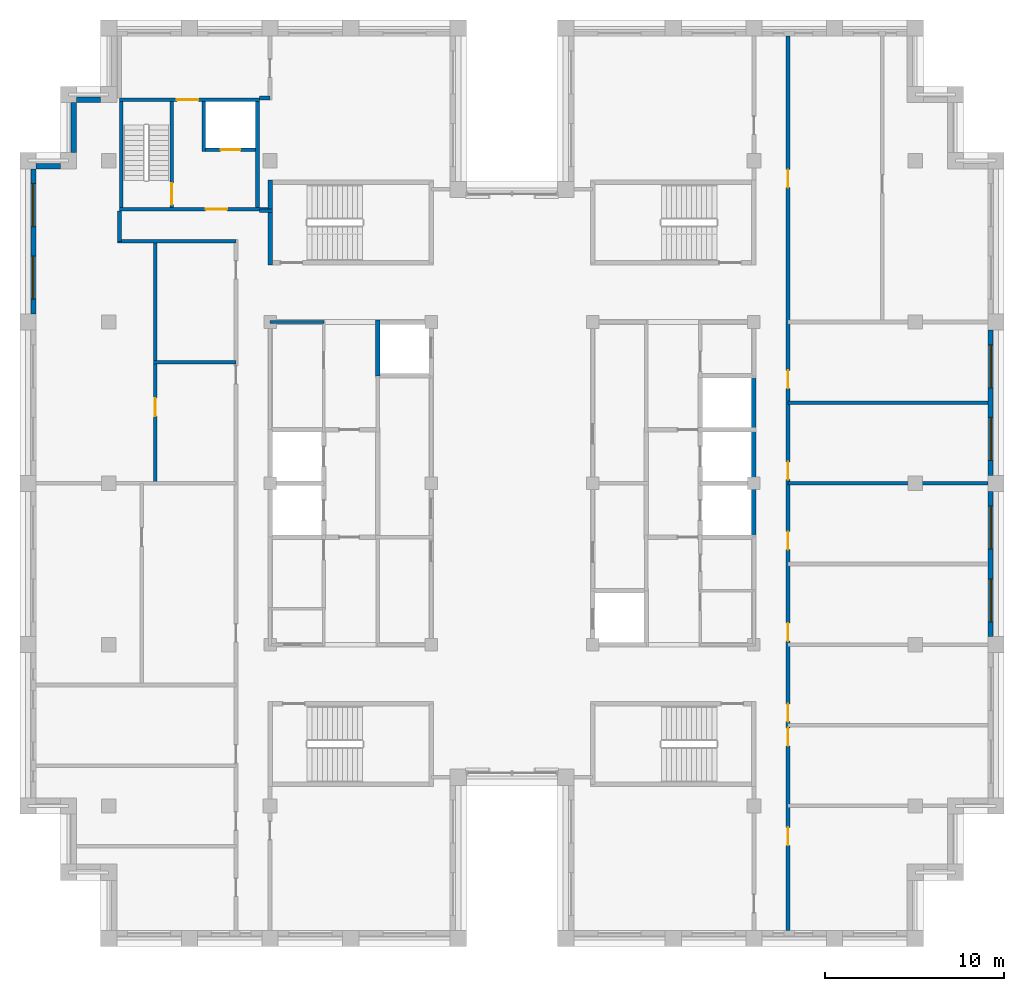
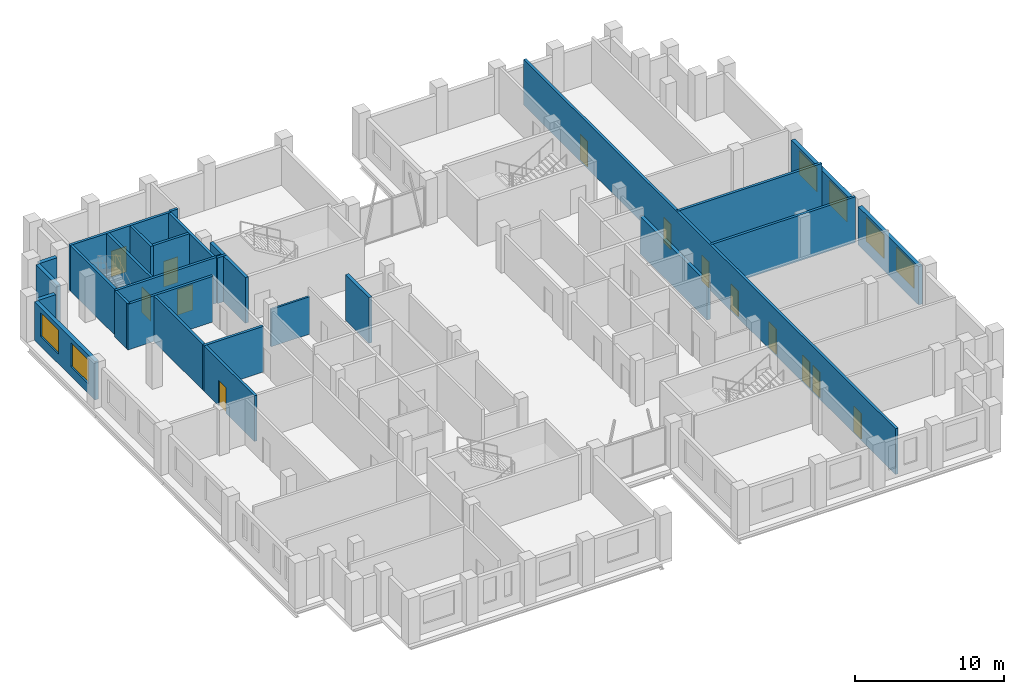
# One storey, part 9 of 13: 26 walls, 13 doors, 6 windows, 19 openings.
"""IFC4 building model written with IfcOpenShell, lengths in metres."""

from ifc_helpers import new_model, si_unit, direction, frame, frame_2d, origin, place, context, subcontext, project, spatial, rectangle, extrude, material, layer, layer_set, type_object, element, fill, save


model = new_model("IFC4")

# Units and contexts
model_context = context("Model", 3, precision=1e-05, world=origin(), true_north=direction((0.0, 1.0)))
body_context = subcontext(model_context, "Body", "Model", "MODEL_VIEW")
ifc_project = project(units=[si_unit("LENGTHUNIT", "METRE"), si_unit("AREAUNIT", "SQUARE_METRE"), si_unit("VOLUMEUNIT", "CUBIC_METRE"), si_unit("PLANEANGLEUNIT", "RADIAN"), si_unit("MASSUNIT", "GRAM", prefix="KILO")], contexts=[model_context])

# Site, building, storey
site_placement = place(None, origin())
site = spatial("IfcSite", under=ifc_project, at=site_placement, CompositionType="ELEMENT")
building_placement = place(site_placement, origin())
building = spatial("IfcBuilding", under=site, at=building_placement, Name="Corbelhall Arena Tower", CompositionType="ELEMENT")
storey_placement = place(building_placement, frame((0.0, 0.0, 342.0)))
storey = spatial("IfcBuildingStorey", under=building, at=storey_placement, Name="L75", CompositionType="ELEMENT", Elevation=342.0)

# Walls
ifc_material_1 = material(Name="Precast concrete C40/50 with granite facing", Category="masonry")
ifc_layer_1 = layer(ifc_material_1, 0.300048828125)
ifc_layer_set_1 = layer_set([ifc_layer_1], Name="EV-IW1 Infill panel 300")
wall_type_1 = type_object("IfcWallType", Name="EV-IW1 Infill panel 300", PredefinedType="SOLIDWALL", material=ifc_layer_set_1)
wall_1_placement = place(storey_placement, frame((-24.449951171875, 21.25, 0.0), z_axis=(0.0, 0.0, 1.0), x_axis=(0.0, -1.0, 0.0)))
element("IfcWall", 1, at=wall_1_placement, inside=storey, type_object=wall_type_1, Name="Infill panel IW1", PredefinedType="SOLIDWALL", context=body_context, shape_type="SweptSolid", body=[
    extrude(rectangle(XDim=2.800048828125, YDim=0.300048828125, at=frame_2d((1.39990234375, 0.0))), origin(), (0.0, 0.0, 1.0), 3.139892578125),
])
wall_2_placement = place(storey_placement, frame((-25.199951171875, 17.699951171875, 0.0), z_axis=(0.0, 0.0, 1.0), x_axis=(-1.0, 0.0, 0.0)))
element("IfcWall", 2, at=wall_2_placement, inside=storey, type_object=wall_type_1, Name="Infill panel IW1", PredefinedType="SOLIDWALL", context=body_context, shape_type="SweptSolid", body=[
    extrude(rectangle(XDim=1.35009765625, YDim=0.300048828125, at=frame_2d((0.675048828125, 0.0))), origin(), (0.0, 0.0, 1.0), 3.139892578125),
])

# Wall, openings, windows
wall_3_placement = place(storey_placement, frame((-26.699951171875, 17.550048828125, 0.0), z_axis=(0.0, 0.0, 1.0), x_axis=(0.0, -1.0, 0.0)))
wall_3 = element("IfcWall", 3, at=wall_3_placement, inside=storey, type_object=wall_type_1, Name="Infill panel IW1", PredefinedType="SOLIDWALL", context=body_context, shape_type="SweptSolid", body=[
    extrude(rectangle(XDim=8.10009765625, YDim=0.300048828125, at=frame_2d((4.050048828125, 0.0))), origin(), (0.0, 0.0, 1.0), 3.139892578125),
])
opening_1_placement = place(wall_3_placement, frame((0.824951171875, 0.0, 0.800048828125)))
opening_1 = element("IfcOpeningElement", 4, at=opening_1_placement, cuts=wall_3, Name="Opening WN1", PredefinedType="OPENING", context=body_context, shape_type="SweptSolid", body=[
    extrude(rectangle(XDim=2.39990234375, YDim=1.949951171875, at=frame_2d((1.199951171875, 0.97509765625))), frame((0.0, 0.14990234375, 0.0), z_axis=(0.0, -1.0, 0.0), x_axis=(1.0, 0.0, 0.0)), (0.0, 0.0, 1.0), 0.300048828125),
])
opening_2_placement = place(wall_3_placement, frame((4.875, 0.0, 0.800048828125)))
opening_2 = element("IfcOpeningElement", 5, at=opening_2_placement, cuts=wall_3, Name="Opening WN1", PredefinedType="OPENING", context=body_context, shape_type="SweptSolid", body=[
    extrude(rectangle(XDim=2.39990234375, YDim=1.949951171875, at=frame_2d((1.199951171875, 0.97509765625))), frame((0.0, 0.14990234375, 0.0), z_axis=(0.0, -1.0, 0.0), x_axis=(1.0, 0.0, 0.0)), (0.0, 0.0, 1.0), 0.300048828125),
])
ifc_material_2 = material(Name="Aluminium black anodised", Category="aluminium")
window_type = type_object("IfcWindowType", Name="EV-WN1 Office window", PartitioningType="SINGLE_PANEL", PredefinedType="WINDOW", material=ifc_material_2)
window_1_placement = place(opening_1_placement, origin())
window_1 = element("IfcWindow", 6, at=window_1_placement, inside=storey, type_object=window_type, Name="Window WN1", OverallHeight=1.949951171875, OverallWidth=2.39990234375, PartitioningType="SINGLE_PANEL", PredefinedType="WINDOW", context=body_context, shape_type="SweptSolid", body=[
    extrude(rectangle(XDim=2.39990234375, YDim=1.949951171875, at=frame_2d((1.199951171875, 0.97509765625))), frame((0.0, 0.030029296875, 0.0), z_axis=(0.0, -1.0, 0.0), x_axis=(1.0, 0.0, 0.0)), (0.0, 0.0, 1.0), 0.06005859375),
])
fill(opening_1, window_1)
window_2_placement = place(opening_2_placement, origin())
window_2 = element("IfcWindow", 7, at=window_2_placement, inside=storey, type_object=window_type, Name="Window WN1", OverallHeight=1.949951171875, OverallWidth=2.39990234375, PartitioningType="SINGLE_PANEL", PredefinedType="WINDOW", context=body_context, shape_type="SweptSolid", body=[
    extrude(rectangle(XDim=2.39990234375, YDim=1.949951171875, at=frame_2d((1.199951171875, 0.97509765625))), frame((0.0, 0.030029296875, 0.0), z_axis=(0.0, -1.0, 0.0), x_axis=(1.0, 0.0, 0.0)), (0.0, 0.0, 1.0), 0.06005859375),
])
fill(opening_2, window_2)

wall_4_placement = place(storey_placement, frame((26.699951171875, -8.550048828125, 0.0), z_axis=(0.0, 0.0, 1.0), x_axis=(0.0, 1.0, 0.0)))
wall_4 = element("IfcWall", 8, at=wall_4_placement, inside=storey, type_object=wall_type_1, Name="Infill panel IW1", PredefinedType="SOLIDWALL", context=body_context, shape_type="SweptSolid", body=[
    extrude(rectangle(XDim=8.10009765625, YDim=0.300048828125, at=frame_2d((4.050048828125, 0.0))), origin(), (0.0, 0.0, 1.0), 3.139892578125),
])
opening_3_placement = place(wall_4_placement, frame((0.824951171875, 0.0, 0.800048828125)))
opening_3 = element("IfcOpeningElement", 9, at=opening_3_placement, cuts=wall_4, Name="Opening WN1", PredefinedType="OPENING", context=body_context, shape_type="SweptSolid", body=[
    extrude(rectangle(XDim=2.39990234375, YDim=1.949951171875, at=frame_2d((1.199951171875, 0.97509765625))), frame((0.0, 0.14990234375, 0.0), z_axis=(0.0, -1.0, 0.0), x_axis=(1.0, 0.0, 0.0)), (0.0, 0.0, 1.0), 0.300048828125),
])
opening_4_placement = place(wall_4_placement, frame((4.875, 0.0, 0.800048828125)))
opening_4 = element("IfcOpeningElement", 10, at=opening_4_placement, cuts=wall_4, Name="Opening WN1", PredefinedType="OPENING", context=body_context, shape_type="SweptSolid", body=[
    extrude(rectangle(XDim=2.39990234375, YDim=1.949951171875, at=frame_2d((1.199951171875, 0.97509765625))), frame((0.0, 0.14990234375, 0.0), z_axis=(0.0, -1.0, 0.0), x_axis=(1.0, 0.0, 0.0)), (0.0, 0.0, 1.0), 0.300048828125),
])
window_3_placement = place(opening_3_placement, origin())
window_3 = element("IfcWindow", 11, at=window_3_placement, inside=storey, type_object=window_type, Name="Window WN1", OverallHeight=1.949951171875, OverallWidth=2.39990234375, PartitioningType="SINGLE_PANEL", PredefinedType="WINDOW", context=body_context, shape_type="SweptSolid", body=[
    extrude(rectangle(XDim=2.39990234375, YDim=1.949951171875, at=frame_2d((1.199951171875, 0.97509765625))), frame((0.0, 0.030029296875, 0.0), z_axis=(0.0, -1.0, 0.0), x_axis=(1.0, 0.0, 0.0)), (0.0, 0.0, 1.0), 0.06005859375),
])
fill(opening_3, window_3)
window_4_placement = place(opening_4_placement, origin())
window_4 = element("IfcWindow", 12, at=window_4_placement, inside=storey, type_object=window_type, Name="Window WN1", OverallHeight=1.949951171875, OverallWidth=2.39990234375, PartitioningType="SINGLE_PANEL", PredefinedType="WINDOW", context=body_context, shape_type="SweptSolid", body=[
    extrude(rectangle(XDim=2.39990234375, YDim=1.949951171875, at=frame_2d((1.199951171875, 0.97509765625))), frame((0.0, 0.030029296875, 0.0), z_axis=(0.0, -1.0, 0.0), x_axis=(1.0, 0.0, 0.0)), (0.0, 0.0, 1.0), 0.06005859375),
])
fill(opening_4, window_4)

wall_5_placement = place(storey_placement, frame((26.699951171875, 0.449951171875, 0.0), z_axis=(0.0, 0.0, 1.0), x_axis=(0.0, 1.0, 0.0)))
wall_5 = element("IfcWall", 13, at=wall_5_placement, inside=storey, type_object=wall_type_1, Name="Infill panel IW1", PredefinedType="SOLIDWALL", context=body_context, shape_type="SweptSolid", body=[
    extrude(rectangle(XDim=8.10009765625, YDim=0.300048828125, at=frame_2d((4.050048828125, 0.0))), origin(), (0.0, 0.0, 1.0), 3.139892578125),
])
opening_5_placement = place(wall_5_placement, frame((0.824951171875, 0.0, 0.800048828125)))
opening_5 = element("IfcOpeningElement", 14, at=opening_5_placement, cuts=wall_5, Name="Opening WN1", PredefinedType="OPENING", context=body_context, shape_type="SweptSolid", body=[
    extrude(rectangle(XDim=2.39990234375, YDim=1.949951171875, at=frame_2d((1.199951171875, 0.97509765625))), frame((0.0, 0.14990234375, 0.0), z_axis=(0.0, -1.0, 0.0), x_axis=(1.0, 0.0, 0.0)), (0.0, 0.0, 1.0), 0.300048828125),
])
opening_6_placement = place(wall_5_placement, frame((4.875, 0.0, 0.800048828125)))
opening_6 = element("IfcOpeningElement", 15, at=opening_6_placement, cuts=wall_5, Name="Opening WN1", PredefinedType="OPENING", context=body_context, shape_type="SweptSolid", body=[
    extrude(rectangle(XDim=2.39990234375, YDim=1.949951171875, at=frame_2d((1.199951171875, 0.97509765625))), frame((0.0, 0.14990234375, 0.0), z_axis=(0.0, -1.0, 0.0), x_axis=(1.0, 0.0, 0.0)), (0.0, 0.0, 1.0), 0.300048828125),
])
window_5_placement = place(opening_5_placement, origin())
window_5 = element("IfcWindow", 16, at=window_5_placement, inside=storey, type_object=window_type, Name="Window WN1", OverallHeight=1.949951171875, OverallWidth=2.39990234375, PartitioningType="SINGLE_PANEL", PredefinedType="WINDOW", context=body_context, shape_type="SweptSolid", body=[
    extrude(rectangle(XDim=2.39990234375, YDim=1.949951171875, at=frame_2d((1.199951171875, 0.97509765625))), frame((0.0, 0.030029296875, 0.0), z_axis=(0.0, -1.0, 0.0), x_axis=(1.0, 0.0, 0.0)), (0.0, 0.0, 1.0), 0.06005859375),
])
fill(opening_5, window_5)
window_6_placement = place(opening_6_placement, origin())
window_6 = element("IfcWindow", 17, at=window_6_placement, inside=storey, type_object=window_type, Name="Window WN1", OverallHeight=1.949951171875, OverallWidth=2.39990234375, PartitioningType="SINGLE_PANEL", PredefinedType="WINDOW", context=body_context, shape_type="SweptSolid", body=[
    extrude(rectangle(XDim=2.39990234375, YDim=1.949951171875, at=frame_2d((1.199951171875, 0.97509765625))), frame((0.0, 0.030029296875, 0.0), z_axis=(0.0, -1.0, 0.0), x_axis=(1.0, 0.0, 0.0)), (0.0, 0.0, 1.0), 0.06005859375),
])
fill(opening_6, window_6)

# Walls
wall_6_placement = place(storey_placement, frame((-22.949951171875, 21.39990234375, 0.0), z_axis=(0.0, 0.0, 1.0), x_axis=(-1.0, 0.0, 0.0)))
element("IfcWall", 18, at=wall_6_placement, inside=storey, type_object=wall_type_1, Name="Infill panel IW1", PredefinedType="SOLIDWALL", context=body_context, shape_type="SweptSolid", body=[
    extrude(rectangle(XDim=1.35009765625, YDim=0.300048828125, at=frame_2d((0.675048828125, 0.0))), origin(), (0.0, 0.0, 1.0), 3.139892578125),
])
ifc_material_3 = material(Name="Gypsum board on steel stud, acoustic", Category="steel")
ifc_layer_2 = layer(ifc_material_3, 0.199951171875)
ifc_layer_set_2 = layer_set([ifc_layer_2], Name="IN-W-DM200")
wall_type_2 = type_object("IfcWallType", Name="IN-W-DM200", PredefinedType="PARTITIONING", material=ifc_layer_set_2)
wall_7_placement = place(storey_placement, frame((-21.89990234375, 13.5, 0.0), z_axis=(0.0, 0.0, 1.0), x_axis=(0.0, 1.0, 0.0)))
element("IfcWall", 19, at=wall_7_placement, inside=storey, type_object=wall_type_2, Name="Partition 004", PredefinedType="PARTITIONING", context=body_context, shape_type="SweptSolid", body=[
    extrude(rectangle(XDim=1.699951171875, YDim=0.199951171875, at=frame_2d((0.85009765625, 0.0))), origin(), (0.0, 0.0, 1.0), 3.739990234375),
])
wall_8_placement = place(storey_placement, frame((-20.0, 6.75, 0.0), z_axis=(0.0, 0.0, 1.0), x_axis=(1.0, 0.0, 0.0)))
element("IfcWall", 20, at=wall_8_placement, inside=storey, type_object=wall_type_2, Name="Partition 008", PredefinedType="PARTITIONING", context=body_context, shape_type="SweptSolid", body=[
    extrude(rectangle(XDim=4.60009765625, YDim=0.199951171875, at=frame_2d((2.300048828125, 0.0))), origin(), (0.0, 0.0, 1.0), 3.739990234375),
])

# Wall, opening, door
wall_9_placement = place(storey_placement, frame((-19.89990234375, -0.10009765625, 0.0), z_axis=(0.0, 0.0, 1.0), x_axis=(0.0, 1.0, 0.0)))
wall_9 = element("IfcWall", 21, at=wall_9_placement, inside=storey, type_object=wall_type_2, Name="Partition 009", PredefinedType="PARTITIONING", context=body_context, shape_type="SweptSolid", body=[
    extrude(rectangle(XDim=13.60009765625, YDim=0.199951171875, at=frame_2d((6.800048828125, 0.0))), origin(), (0.0, 0.0, 1.0), 3.739990234375),
])
opening_7_placement = place(wall_9_placement, frame((3.85009765625, 0.0, 0.0)))
opening_7 = element("IfcOpeningElement", 22, at=opening_7_placement, cuts=wall_9, Name="Opening 24024", PredefinedType="OPENING", context=body_context, shape_type="SweptSolid", body=[
    extrude(rectangle(XDim=1.0, YDim=2.10009765625, at=frame_2d((0.5, 1.050048828125))), frame((0.0, 0.10009765625, 0.0), z_axis=(0.0, -1.0, 0.0), x_axis=(1.0, 0.0, 0.0)), (0.0, 0.0, 1.0), 0.199951171875),
])
ifc_material_4 = material(Name="Steel door set", Category="steel")
door_type_1 = type_object("IfcDoorType", Name="IN-D-SW100", OperationType="NOTDEFINED", PredefinedType="DOOR", material=ifc_material_4)
door_1_placement = place(opening_7_placement, origin())
door_1 = element("IfcDoor", 23, at=door_1_placement, inside=storey, type_object=door_type_1, Name="Door 024", OperationType="SINGLE_SWING_LEFT", OverallHeight=2.10009765625, OverallWidth=1.0, PredefinedType="DOOR", context=body_context, shape_type="SweptSolid", body=[
    extrude(rectangle(XDim=1.0, YDim=2.10009765625, at=frame_2d((0.5, 1.050048828125))), frame((0.0, 0.02490234375, 0.0), z_axis=(0.0, -1.0, 0.0), x_axis=(1.0, 0.0, 0.0)), (0.0, 0.0, 1.0), 0.050048828125),
])
fill(opening_7, door_1)

# Walls
wall_10_placement = place(storey_placement, frame((-15.39990234375, 13.5, 0.0), z_axis=(0.0, 0.0, 1.0), x_axis=(-1.0, 0.0, 0.0)))
element("IfcWall", 24, at=wall_10_placement, inside=storey, type_object=wall_type_2, Name="Partition 010", PredefinedType="PARTITIONING", context=body_context, shape_type="SweptSolid", body=[
    extrude(rectangle(XDim=6.60009765625, YDim=0.199951171875, at=frame_2d((3.300048828125, 0.0))), origin(), (0.0, 0.0, 1.0), 3.739990234375),
])
wall_11_placement = place(storey_placement, frame((-14.10009765625, 15.199951171875, 0.0), z_axis=(0.0, 0.0, 1.0), x_axis=(1.0, 0.0, 0.0)))
element("IfcWall", 25, at=wall_11_placement, inside=storey, type_object=wall_type_2, Name="Partition 012", PredefinedType="PARTITIONING", context=body_context, shape_type="SweptSolid", body=[
    extrude(rectangle(XDim=0.72509765625, YDim=0.199951171875, at=frame_2d((0.362548828125, 0.0))), origin(), (0.0, 0.0, 1.0), 3.739990234375),
])
wall_12_placement = place(storey_placement, frame((-13.5, 21.5, 0.0), z_axis=(0.0, 0.0, 1.0), x_axis=(-1.0, 0.0, 0.0)))
element("IfcWall", 26, at=wall_12_placement, inside=storey, type_object=wall_type_2, Name="Partition 014", PredefinedType="PARTITIONING", context=body_context, shape_type="SweptSolid", body=[
    extrude(rectangle(XDim=0.60009765625, YDim=0.199951171875, at=frame_2d((0.300048828125, 0.0))), origin(), (0.0, 0.0, 1.0), 3.739990234375),
])

# Wall, openings, doors
wall_13_placement = place(storey_placement, frame((15.39990234375, 24.949951171875, 0.0), z_axis=(0.0, 0.0, 1.0), x_axis=(0.0, -1.0, 0.0)))
wall_13 = element("IfcWall", 27, at=wall_13_placement, inside=storey, type_object=wall_type_2, Name="Partition 023", PredefinedType="PARTITIONING", context=body_context, shape_type="SweptSolid", body=[
    extrude(rectangle(XDim=49.89990234375, YDim=0.199951171875, at=frame_2d((24.949951171875, 0.0))), origin(), (0.0, 0.0, 1.0), 3.739990234375),
])
opening_8_placement = place(wall_13_placement, frame((23.75, 0.0, 0.0)))
opening_8 = element("IfcOpeningElement", 28, at=opening_8_placement, cuts=wall_13, Name="Opening 24030", PredefinedType="OPENING", context=body_context, shape_type="SweptSolid", body=[
    extrude(rectangle(XDim=1.0, YDim=2.10009765625, at=frame_2d((0.5, 1.050048828125))), frame((0.0, 0.10009765625, 0.0), z_axis=(0.0, -1.0, 0.0), x_axis=(1.0, 0.0, 0.0)), (0.0, 0.0, 1.0), 0.199951171875),
])
opening_9_placement = place(wall_13_placement, frame((18.64990234375, 0.0, 0.0)))
opening_9 = element("IfcOpeningElement", 29, at=opening_9_placement, cuts=wall_13, Name="Opening 24031", PredefinedType="OPENING", context=body_context, shape_type="SweptSolid", body=[
    extrude(rectangle(XDim=1.0, YDim=2.10009765625, at=frame_2d((0.5, 1.050048828125))), frame((0.0, 0.10009765625, 0.0), z_axis=(0.0, -1.0, 0.0), x_axis=(1.0, 0.0, 0.0)), (0.0, 0.0, 1.0), 0.199951171875),
])
opening_10_placement = place(wall_13_placement, frame((7.449951171875, 0.0, 0.0)))
opening_10 = element("IfcOpeningElement", 30, at=opening_10_placement, cuts=wall_13, Name="Opening 24032", PredefinedType="OPENING", context=body_context, shape_type="SweptSolid", body=[
    extrude(rectangle(XDim=1.0, YDim=2.10009765625, at=frame_2d((0.5, 1.050048828125))), frame((0.0, 0.10009765625, 0.0), z_axis=(0.0, -1.0, 0.0), x_axis=(1.0, 0.0, 0.0)), (0.0, 0.0, 1.0), 0.199951171875),
])
opening_11_placement = place(wall_13_placement, frame((44.14990234375, 0.0, 0.0)))
opening_11 = element("IfcOpeningElement", 31, at=opening_11_placement, cuts=wall_13, Name="Opening 24034", PredefinedType="OPENING", context=body_context, shape_type="SweptSolid", body=[
    extrude(rectangle(XDim=1.0, YDim=2.10009765625, at=frame_2d((0.5, 1.050048828125))), frame((0.0, 0.10009765625, 0.0), z_axis=(0.0, -1.0, 0.0), x_axis=(1.0, 0.0, 0.0)), (0.0, 0.0, 1.0), 0.199951171875),
])
opening_12_placement = place(wall_13_placement, frame((38.60009765625, 0.0, 0.0)))
opening_12 = element("IfcOpeningElement", 32, at=opening_12_placement, cuts=wall_13, Name="Opening 24035", PredefinedType="OPENING", context=body_context, shape_type="SweptSolid", body=[
    extrude(rectangle(XDim=1.0, YDim=2.10009765625, at=frame_2d((0.5, 1.050048828125))), frame((0.0, 0.10009765625, 0.0), z_axis=(0.0, -1.0, 0.0), x_axis=(1.0, 0.0, 0.0)), (0.0, 0.0, 1.0), 0.199951171875),
])
opening_13_placement = place(wall_13_placement, frame((37.25, 0.0, 0.0)))
opening_13 = element("IfcOpeningElement", 33, at=opening_13_placement, cuts=wall_13, Name="Opening 24036", PredefinedType="OPENING", context=body_context, shape_type="SweptSolid", body=[
    extrude(rectangle(XDim=1.0, YDim=2.10009765625, at=frame_2d((0.5, 1.050048828125))), frame((0.0, 0.10009765625, 0.0), z_axis=(0.0, -1.0, 0.0), x_axis=(1.0, 0.0, 0.0)), (0.0, 0.0, 1.0), 0.199951171875),
])
opening_14_placement = place(wall_13_placement, frame((32.75, 0.0, 0.0)))
opening_14 = element("IfcOpeningElement", 34, at=opening_14_placement, cuts=wall_13, Name="Opening 24037", PredefinedType="OPENING", context=body_context, shape_type="SweptSolid", body=[
    extrude(rectangle(XDim=1.0, YDim=2.10009765625, at=frame_2d((0.5, 1.050048828125))), frame((0.0, 0.10009765625, 0.0), z_axis=(0.0, -1.0, 0.0), x_axis=(1.0, 0.0, 0.0)), (0.0, 0.0, 1.0), 0.199951171875),
])
opening_15_placement = place(wall_13_placement, frame((27.64990234375, 0.0, 0.0)))
opening_15 = element("IfcOpeningElement", 35, at=opening_15_placement, cuts=wall_13, Name="Opening 24038", PredefinedType="OPENING", context=body_context, shape_type="SweptSolid", body=[
    extrude(rectangle(XDim=1.0, YDim=2.10009765625, at=frame_2d((0.5, 1.050048828125))), frame((0.0, 0.10009765625, 0.0), z_axis=(0.0, -1.0, 0.0), x_axis=(1.0, 0.0, 0.0)), (0.0, 0.0, 1.0), 0.199951171875),
])
door_2_placement = place(opening_8_placement, origin())
door_2 = element("IfcDoor", 36, at=door_2_placement, inside=storey, type_object=door_type_1, Name="Door 030", OperationType="SINGLE_SWING_LEFT", OverallHeight=2.10009765625, OverallWidth=1.0, PredefinedType="DOOR", context=body_context, shape_type="SweptSolid", body=[
    extrude(rectangle(XDim=1.0, YDim=2.10009765625, at=frame_2d((0.5, 1.050048828125))), frame((0.0, 0.02490234375, 0.0), z_axis=(0.0, -1.0, 0.0), x_axis=(1.0, 0.0, 0.0)), (0.0, 0.0, 1.0), 0.050048828125),
])
fill(opening_8, door_2)
door_3_placement = place(opening_9_placement, origin())
door_3 = element("IfcDoor", 37, at=door_3_placement, inside=storey, type_object=door_type_1, Name="Door 031", OperationType="SINGLE_SWING_RIGHT", OverallHeight=2.10009765625, OverallWidth=1.0, PredefinedType="DOOR", context=body_context, shape_type="SweptSolid", body=[
    extrude(rectangle(XDim=1.0, YDim=2.10009765625, at=frame_2d((0.5, 1.050048828125))), frame((0.0, 0.02490234375, 0.0), z_axis=(0.0, -1.0, 0.0), x_axis=(1.0, 0.0, 0.0)), (0.0, 0.0, 1.0), 0.050048828125),
])
fill(opening_9, door_3)
door_4_placement = place(opening_10_placement, origin())
door_4 = element("IfcDoor", 38, at=door_4_placement, inside=storey, type_object=door_type_1, Name="Door 032", OperationType="SINGLE_SWING_LEFT", OverallHeight=2.10009765625, OverallWidth=1.0, PredefinedType="DOOR", context=body_context, shape_type="SweptSolid", body=[
    extrude(rectangle(XDim=1.0, YDim=2.10009765625, at=frame_2d((0.5, 1.050048828125))), frame((0.0, 0.02490234375, 0.0), z_axis=(0.0, -1.0, 0.0), x_axis=(1.0, 0.0, 0.0)), (0.0, 0.0, 1.0), 0.050048828125),
])
fill(opening_10, door_4)
door_5_placement = place(opening_11_placement, origin())
door_5 = element("IfcDoor", 39, at=door_5_placement, inside=storey, type_object=door_type_1, Name="Door 034", OperationType="SINGLE_SWING_LEFT", OverallHeight=2.10009765625, OverallWidth=1.0, PredefinedType="DOOR", context=body_context, shape_type="SweptSolid", body=[
    extrude(rectangle(XDim=1.0, YDim=2.10009765625, at=frame_2d((0.5, 1.050048828125))), frame((0.0, 0.02490234375, 0.0), z_axis=(0.0, -1.0, 0.0), x_axis=(1.0, 0.0, 0.0)), (0.0, 0.0, 1.0), 0.050048828125),
])
fill(opening_11, door_5)
door_6_placement = place(opening_12_placement, origin())
door_6 = element("IfcDoor", 40, at=door_6_placement, inside=storey, type_object=door_type_1, Name="Door 035", OperationType="SINGLE_SWING_RIGHT", OverallHeight=2.10009765625, OverallWidth=1.0, PredefinedType="DOOR", context=body_context, shape_type="SweptSolid", body=[
    extrude(rectangle(XDim=1.0, YDim=2.10009765625, at=frame_2d((0.5, 1.050048828125))), frame((0.0, 0.02490234375, 0.0), z_axis=(0.0, -1.0, 0.0), x_axis=(1.0, 0.0, 0.0)), (0.0, 0.0, 1.0), 0.050048828125),
])
fill(opening_12, door_6)
door_7_placement = place(opening_13_placement, origin())
door_7 = element("IfcDoor", 41, at=door_7_placement, inside=storey, type_object=door_type_1, Name="Door 036", OperationType="SINGLE_SWING_LEFT", OverallHeight=2.10009765625, OverallWidth=1.0, PredefinedType="DOOR", context=body_context, shape_type="SweptSolid", body=[
    extrude(rectangle(XDim=1.0, YDim=2.10009765625, at=frame_2d((0.5, 1.050048828125))), frame((0.0, 0.02490234375, 0.0), z_axis=(0.0, -1.0, 0.0), x_axis=(1.0, 0.0, 0.0)), (0.0, 0.0, 1.0), 0.050048828125),
])
fill(opening_13, door_7)
door_8_placement = place(opening_14_placement, origin())
door_8 = element("IfcDoor", 42, at=door_8_placement, inside=storey, type_object=door_type_1, Name="Door 037", OperationType="SINGLE_SWING_RIGHT", OverallHeight=2.10009765625, OverallWidth=1.0, PredefinedType="DOOR", context=body_context, shape_type="SweptSolid", body=[
    extrude(rectangle(XDim=1.0, YDim=2.10009765625, at=frame_2d((0.5, 1.050048828125))), frame((0.0, 0.02490234375, 0.0), z_axis=(0.0, -1.0, 0.0), x_axis=(1.0, 0.0, 0.0)), (0.0, 0.0, 1.0), 0.050048828125),
])
fill(opening_14, door_8)
door_9_placement = place(opening_15_placement, origin())
door_9 = element("IfcDoor", 43, at=door_9_placement, inside=storey, type_object=door_type_1, Name="Door 038", OperationType="SINGLE_SWING_LEFT", OverallHeight=2.10009765625, OverallWidth=1.0, PredefinedType="DOOR", context=body_context, shape_type="SweptSolid", body=[
    extrude(rectangle(XDim=1.0, YDim=2.10009765625, at=frame_2d((0.5, 1.050048828125))), frame((0.0, 0.02490234375, 0.0), z_axis=(0.0, -1.0, 0.0), x_axis=(1.0, 0.0, 0.0)), (0.0, 0.0, 1.0), 0.050048828125),
])
fill(opening_15, door_9)

# Walls
for number, where, z_axis, x_axis, name in (
    (44, (15.39990234375, 4.5, 0.0), (0.0, 0.0, 1.0), (1.0, 0.0, 0.0), "Partition 027"),
    (45, (26.550048828125, 0.0, 0.0), (0.0, 0.0, 1.0), (-1.0, 0.0, 0.0), "Partition 030"),
):
    element("IfcWall", number, at=place(storey_placement, frame(where, z_axis=z_axis, x_axis=x_axis)), inside=storey, type_object=wall_type_2, Name=name, PredefinedType="PARTITIONING", context=body_context, shape_type="SweptSolid", body=[
        extrude(rectangle(XDim=11.150146484375, YDim=0.199951171875, at=frame_2d((5.5751953125, 0.0))), origin(), (0.0, 0.0, 1.0), 3.739990234375),
    ])

# Wall, opening, door
ifc_material_5 = material(Name="Concrete C40/50", Category="concrete")
ifc_layer_3 = layer(ifc_material_5, 0.199951171875)
ifc_layer_set_3 = layer_set([ifc_layer_3], Name="IN-W-EAR200")
wall_type_3 = type_object("IfcWallType", Name="IN-W-EAR200", PredefinedType="SOLIDWALL", material=ifc_layer_set_3)
wall_14_placement = place(storey_placement, frame((-21.89990234375, 15.300048828125, 0.0), z_axis=(0.0, 0.0, 1.0), x_axis=(1.0, 0.0, 0.0)))
wall_14 = element("IfcWall", 46, at=wall_14_placement, inside=storey, type_object=wall_type_3, Name="Fire service turret wall south", PredefinedType="SOLIDWALL", context=body_context, shape_type="SweptSolid", body=[
    extrude(rectangle(XDim=8.27490234375, YDim=0.199951171875, at=frame_2d((4.137451171875, 0.0))), origin(), (0.0, 0.0, 1.0), 3.739990234375),
])
opening_16_placement = place(wall_14_placement, frame((4.800048828125, 0.0, 0.0)))
opening_16 = element("IfcOpeningElement", 47, at=opening_16_placement, cuts=wall_14, Name="Opening E242", PredefinedType="OPENING", context=body_context, shape_type="SweptSolid", body=[
    extrude(rectangle(XDim=1.199951171875, YDim=2.10009765625, at=frame_2d((0.60009765625, 1.050048828125))), frame((0.0, 0.10009765625, 0.0), z_axis=(0.0, -1.0, 0.0), x_axis=(1.0, 0.0, 0.0)), (0.0, 0.0, 1.0), 0.199951171875),
])
door_type_2 = type_object("IfcDoorType", Name="IN-D-ST120", OperationType="NOTDEFINED", PredefinedType="DOOR", material=ifc_material_4)
door_10_placement = place(opening_16_placement, origin())
door_10 = element("IfcDoor", 48, at=door_10_placement, inside=storey, type_object=door_type_2, Name="Door from fire service lift lobby to circulation", OperationType="SINGLE_SWING_RIGHT", OverallHeight=2.10009765625, OverallWidth=1.199951171875, PredefinedType="DOOR", context=body_context, shape_type="SweptSolid", body=[
    extrude(rectangle(XDim=1.199951171875, YDim=2.10009765625, at=frame_2d((0.60009765625, 1.050048828125))), frame((0.0, 0.02490234375, 0.0), z_axis=(0.0, -1.0, 0.0), x_axis=(1.0, 0.0, 0.0)), (0.0, 0.0, 1.0), 0.050048828125),
])
fill(opening_16, door_10)

wall_15_placement = place(storey_placement, frame((-21.89990234375, 21.39990234375, 0.0), z_axis=(0.0, 0.0, 1.0), x_axis=(1.0, 0.0, 0.0)))
wall_15 = element("IfcWall", 49, at=wall_15_placement, inside=storey, type_object=wall_type_3, Name="Fire service turret wall north", PredefinedType="SOLIDWALL", context=body_context, shape_type="SweptSolid", body=[
    extrude(rectangle(XDim=7.7998046875, YDim=0.199951171875, at=frame_2d((3.89990234375, 0.0))), origin(), (0.0, 0.0, 1.0), 3.739990234375),
])
opening_17_placement = place(wall_15_placement, frame((3.199951171875, 0.0, 0.0)))
opening_17 = element("IfcOpeningElement", 50, at=opening_17_placement, cuts=wall_15, Name="Opening E243", PredefinedType="OPENING", context=body_context, shape_type="SweptSolid", body=[
    extrude(rectangle(XDim=1.199951171875, YDim=2.10009765625, at=frame_2d((0.60009765625, 1.050048828125))), frame((0.0, 0.10009765625, 0.0), z_axis=(0.0, -1.0, 0.0), x_axis=(1.0, 0.0, 0.0)), (0.0, 0.0, 1.0), 0.199951171875),
])
door_11_placement = place(opening_17_placement, origin())
door_11 = element("IfcDoor", 51, at=door_11_placement, inside=storey, type_object=door_type_2, Name="Door from fire service lift lobby to the north gallery", OperationType="SINGLE_SWING_LEFT", OverallHeight=2.10009765625, OverallWidth=1.199951171875, PredefinedType="DOOR", context=body_context, shape_type="SweptSolid", body=[
    extrude(rectangle(XDim=1.199951171875, YDim=2.10009765625, at=frame_2d((0.60009765625, 1.050048828125))), frame((0.0, 0.02490234375, 0.0), z_axis=(0.0, -1.0, 0.0), x_axis=(1.0, 0.0, 0.0)), (0.0, 0.0, 1.0), 0.050048828125),
])
fill(opening_17, door_11)

# Walls
for number, where, z_axis, x_axis, name in (
    (52, (-21.800048828125, 15.39990234375, 0.0), (0.0, 0.0, 1.0), (0.0, 1.0, 0.0), "Fire service turret wall west"),
    (53, (-14.199951171875, 15.39990234375, 0.0), (0.0, 0.0, 1.0), (0.0, 1.0, 0.0), "Fire service turret wall east"),
):
    element("IfcWall", number, at=place(storey_placement, frame(where, z_axis=z_axis, x_axis=x_axis)), inside=storey, type_object=wall_type_3, Name=name, PredefinedType="SOLIDWALL", context=body_context, shape_type="SweptSolid", body=[
        extrude(rectangle(XDim=5.900146484375, YDim=0.199951171875, at=frame_2d((2.9501953125, 0.0))), origin(), (0.0, 0.0, 1.0), 3.739990234375),
    ])

# Wall, opening, door
wall_16_placement = place(storey_placement, frame((-18.989990234375, 15.39990234375, 0.0), z_axis=(0.0, 0.0, 1.0), x_axis=(0.0, 1.0, 0.0)))
wall_16 = element("IfcWall", 54, at=wall_16_placement, inside=storey, type_object=wall_type_3, Name="Fire service turret wall stair", PredefinedType="SOLIDWALL", context=body_context, shape_type="SweptSolid", body=[
    extrude(rectangle(XDim=5.900146484375, YDim=0.199951171875, at=frame_2d((2.9501953125, 0.0))), origin(), (0.0, 0.0, 1.0), 3.739990234375),
])
opening_18_placement = place(wall_16_placement, frame((0.14990234375, 0.0, 0.0)))
opening_18 = element("IfcOpeningElement", 55, at=opening_18_placement, cuts=wall_16, Name="Opening E241", PredefinedType="OPENING", context=body_context, shape_type="SweptSolid", body=[
    extrude(rectangle(XDim=1.199951171875, YDim=2.10009765625, at=frame_2d((0.60009765625, 1.050048828125))), frame((0.0, 0.10009765625, 0.0), z_axis=(0.0, -1.0, 0.0), x_axis=(1.0, 0.0, 0.0)), (0.0, 0.0, 1.0), 0.199951171875),
])
door_12_placement = place(opening_18_placement, origin())
door_12 = element("IfcDoor", 56, at=door_12_placement, inside=storey, type_object=door_type_2, Name="Stair door to fire service lobby", OperationType="SINGLE_SWING_LEFT", OverallHeight=2.10009765625, OverallWidth=1.199951171875, PredefinedType="DOOR", context=body_context, shape_type="SweptSolid", body=[
    extrude(rectangle(XDim=1.199951171875, YDim=2.10009765625, at=frame_2d((0.60009765625, 1.050048828125))), frame((0.0, 0.02490234375, 0.0), z_axis=(0.0, -1.0, 0.0), x_axis=(1.0, 0.0, 0.0)), (0.0, 0.0, 1.0), 0.050048828125),
])
fill(opening_18, door_12)

# Wall
wall_17_placement = place(storey_placement, frame((-17.199951171875, 18.5, 0.0), z_axis=(0.0, 0.0, 1.0), x_axis=(0.0, 1.0, 0.0)))
element("IfcWall", 57, at=wall_17_placement, inside=storey, type_object=wall_type_3, Name="Fire service turret wall hoistway west", PredefinedType="SOLIDWALL", context=body_context, shape_type="SweptSolid", body=[
    extrude(rectangle(XDim=2.800048828125, YDim=0.199951171875, at=frame_2d((1.39990234375, 0.0))), origin(), (0.0, 0.0, 1.0), 3.739990234375),
])

# Wall, opening, door
wall_18_placement = place(storey_placement, frame((-17.10009765625, 18.60009765625, 0.0), z_axis=(0.0, 0.0, 1.0), x_axis=(1.0, 0.0, 0.0)))
wall_18 = element("IfcWall", 58, at=wall_18_placement, inside=storey, type_object=wall_type_3, Name="Fire service turret wall hoistway south", PredefinedType="SOLIDWALL", context=body_context, shape_type="SweptSolid", body=[
    extrude(rectangle(XDim=2.800048828125, YDim=0.199951171875, at=frame_2d((1.39990234375, 0.0))), origin(), (0.0, 0.0, 1.0), 3.739990234375),
])
opening_19_placement = place(wall_18_placement, frame((0.85009765625, 0.0, 0.0)))
opening_19 = element("IfcOpeningElement", 59, at=opening_19_placement, cuts=wall_18, Name="Opening LD", PredefinedType="OPENING", context=body_context, shape_type="SweptSolid", body=[
    extrude(rectangle(XDim=1.10009765625, YDim=2.10009765625, at=frame_2d((0.550048828125, 1.050048828125))), frame((0.0, 0.10009765625, 0.0), z_axis=(0.0, -1.0, 0.0), x_axis=(1.0, 0.0, 0.0)), (0.0, 0.0, 1.0), 0.199951171875),
])
door_type_3 = type_object("IfcDoorType", Name="IN-D-LD110", OperationType="NOTDEFINED", PredefinedType="DOOR", material=ifc_material_4)
door_13_placement = place(opening_19_placement, origin())
door_13 = element("IfcDoor", 60, at=door_13_placement, inside=storey, type_object=door_type_3, Name="Landing door FS1", OperationType="SLIDING_TO_LEFT", OverallHeight=2.10009765625, OverallWidth=1.10009765625, PredefinedType="DOOR", context=body_context, shape_type="SweptSolid", body=[
    extrude(rectangle(XDim=1.10009765625, YDim=2.10009765625, at=frame_2d((0.550048828125, 1.050048828125))), frame((0.0, 0.02490234375, 0.0), z_axis=(0.0, -1.0, 0.0), x_axis=(1.0, 0.0, 0.0)), (0.0, 0.0, 1.0), 0.050048828125),
])
fill(opening_19, door_13)

# Walls
ifc_layer_4 = layer(ifc_material_5, 0.25)
ifc_layer_set_4 = layer_set([ifc_layer_4], Name="IN-W-SH250")
wall_type_4 = type_object("IfcWallType", Name="IN-W-SH250", PredefinedType="SOLIDWALL", material=ifc_layer_set_4)
wall_19_placement = place(storey_placement, frame((-7.5, 6.0, 0.0), z_axis=(0.0, 0.0, 1.0), x_axis=(0.0, 1.0, 0.0)))
element("IfcWall", 61, at=wall_19_placement, inside=storey, type_object=wall_type_4, Name="Shaft wall 055", PredefinedType="SOLIDWALL", context=body_context, shape_type="SweptSolid", body=[
    extrude(rectangle(XDim=3.125, YDim=0.25, at=frame_2d((1.5625, 0.0))), origin(), (0.0, 0.0, 1.0), 3.739990234375),
])
ifc_layer_5 = layer(ifc_material_5, 0.25)
ifc_layer_set_5 = layer_set([ifc_layer_5], Name="IN-W-SH250 under beam 678 mm")
wall_type_5 = type_object("IfcWallType", Name="IN-W-SH250 under beam 678 mm", PredefinedType="SOLIDWALL", material=ifc_layer_set_5)
wall_20_placement = place(storey_placement, frame((13.5, 6.0, 0.0), z_axis=(0.0, 0.0, 1.0), x_axis=(0.0, -1.0, 0.0)))
element("IfcWall", 62, at=wall_20_placement, inside=storey, type_object=wall_type_5, Name="Shaft wall 068", PredefinedType="SOLIDWALL", context=body_context, shape_type="SweptSolid", body=[
    extrude(rectangle(XDim=9.0, YDim=0.25, at=frame_2d((4.5, 0.0))), origin(), (0.0, 0.0, 1.0), 3.061767578125),
])
ifc_layer_6 = layer(ifc_material_5, 0.25)
ifc_layer_set_6 = layer_set([ifc_layer_6], Name="IN-W-ST250")
wall_type_6 = type_object("IfcWallType", Name="IN-W-ST250", PredefinedType="SOLIDWALL", material=ifc_layer_set_6)
wall_21_placement = place(storey_placement, frame((-13.5, 12.175048828125, 0.0), z_axis=(0.0, 0.0, 1.0), x_axis=(0.0, 1.0, 0.0)))
element("IfcWall", 63, at=wall_21_placement, inside=storey, type_object=wall_type_6, Name="Shaft wall 071", PredefinedType="SOLIDWALL", context=body_context, shape_type="SweptSolid", body=[
    extrude(rectangle(XDim=4.75, YDim=0.25, at=frame_2d((2.375, 0.0))), origin(), (0.0, 0.0, 1.0), 3.739990234375),
])
ifc_material_6 = material(Name="Gypsum board on steel stud, moisture resistant", Category="steel")
ifc_layer_7 = layer(ifc_material_6, 0.14990234375)
ifc_layer_set_7 = layer_set([ifc_layer_7], Name="IN-W-WC150 under beam 678 mm")
wall_type_7 = type_object("IfcWallType", Name="IN-W-WC150 under beam 678 mm", PredefinedType="PARTITIONING", material=ifc_layer_set_7)
wall_22_placement = place(storey_placement, frame((-13.5, 9.0, 0.0), z_axis=(0.0, 0.0, 1.0), x_axis=(1.0, 0.0, 0.0)))
element("IfcWall", 64, at=wall_22_placement, inside=storey, type_object=wall_type_7, Name="Partition 088", PredefinedType="PARTITIONING", context=body_context, shape_type="SweptSolid", body=[
    extrude(rectangle(XDim=3.0, YDim=0.14990234375, at=frame_2d((1.5, 0.0))), origin(), (0.0, 0.0, 1.0), 3.061767578125),
])

save(model, "model.ifc")
